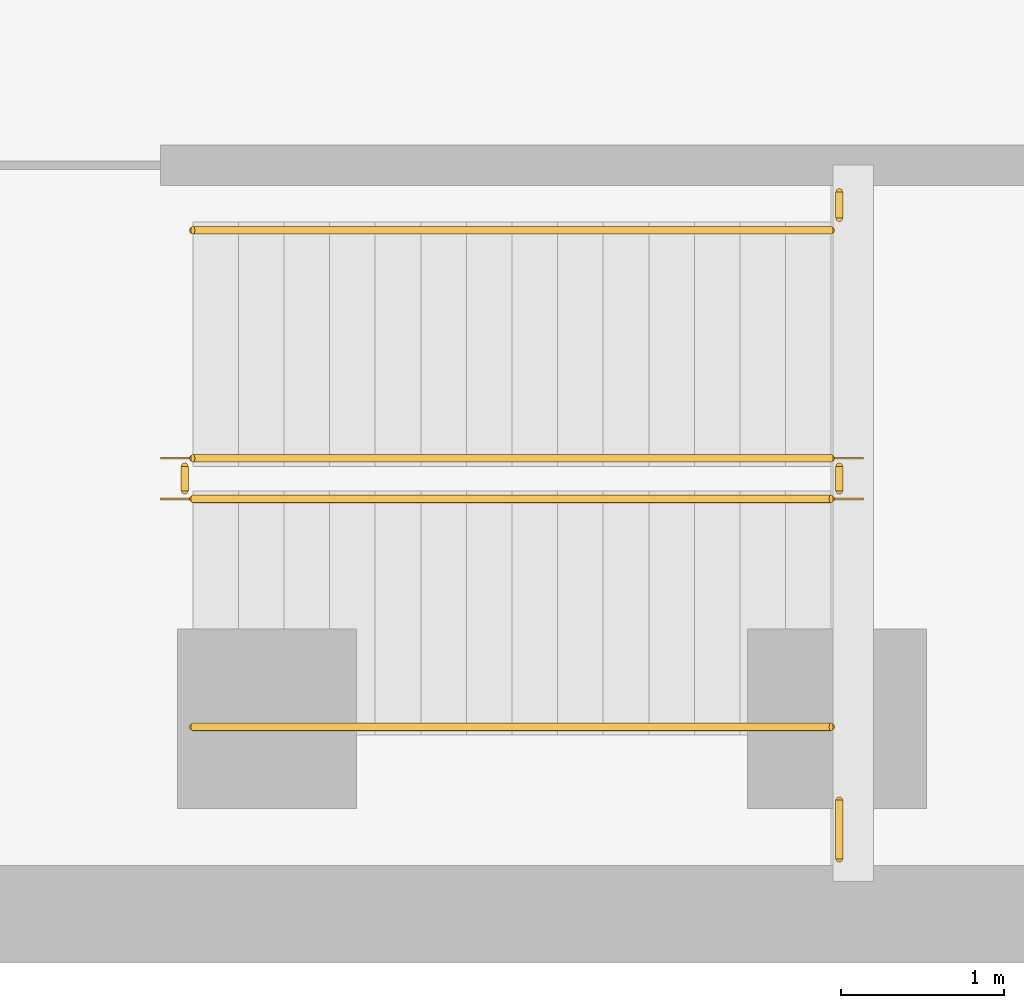
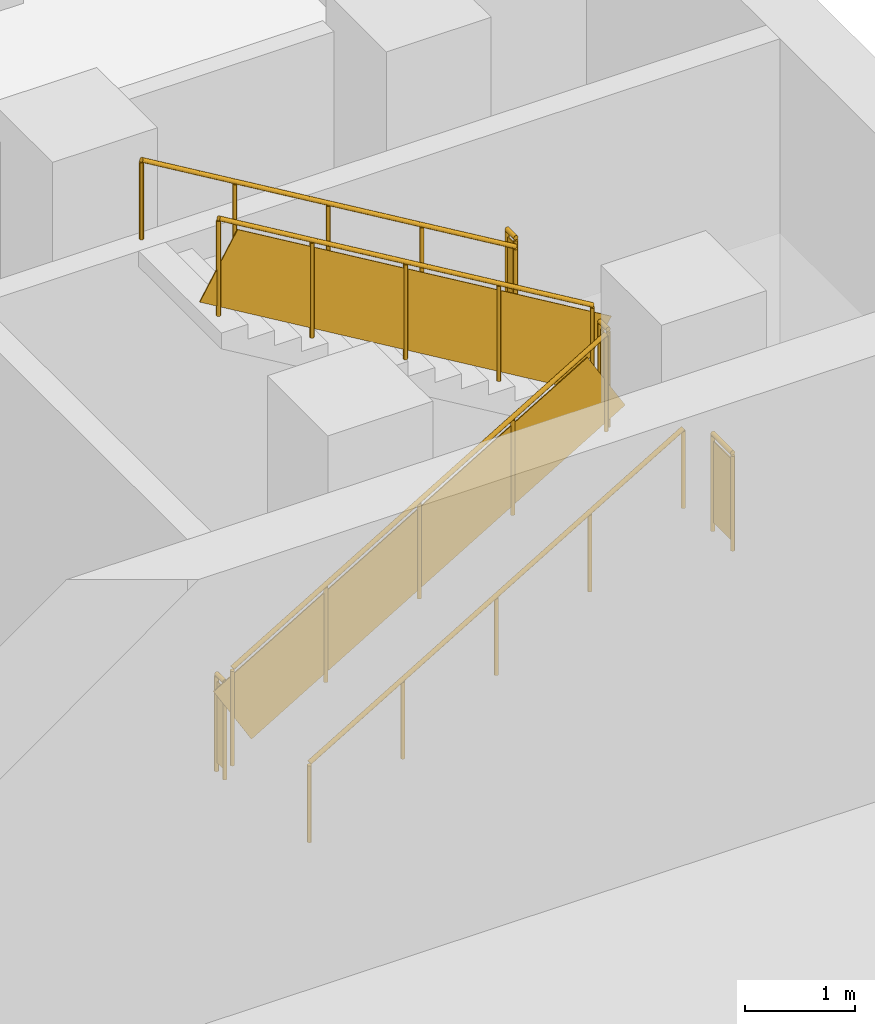
# One storey, part 12 of 14: 8 railings.
"""IFC4 building model written with IfcOpenShell, lengths in metres."""

from ifc_helpers import new_model, si_unit, direction, frame, origin, origin_2d, place, context, subcontext, project, spatial, rectangle, circle, extrude, material, type_object, element, save


model = new_model("IFC4")

# Units and contexts
model_context = context("Model", 3, precision=1e-05, world=origin(), true_north=direction((0.0, 1.0)))
body_context = subcontext(model_context, "Body", "Model", "MODEL_VIEW")
ifc_project = project(units=[si_unit("LENGTHUNIT", "METRE"), si_unit("AREAUNIT", "SQUARE_METRE"), si_unit("VOLUMEUNIT", "CUBIC_METRE"), si_unit("PLANEANGLEUNIT", "RADIAN"), si_unit("MASSUNIT", "GRAM", prefix="KILO")], contexts=[model_context])

# Site, building, storey
site_placement = place(None, origin())
site = spatial("IfcSite", under=ifc_project, at=site_placement, CompositionType="ELEMENT")
building_placement = place(site_placement, origin())
building = spatial("IfcBuilding", under=site, at=building_placement, Name="Vidyagriha Tower", CompositionType="ELEMENT")
storey_placement = place(building_placement, frame((0.0, 0.0, -10.0)))
storey = spatial("IfcBuildingStorey", under=building, at=storey_placement, Name="B2", CompositionType="ELEMENT", Elevation=-10.0)

# Railings
ifc_material_1 = material(Name="Powder coated ASTM A500 Grade C steel balustrade", Category="steel")
railing_type_1 = type_object("IfcRailingType", Name="Podium Stair Guard 1100", PredefinedType="GUARDRAIL", material=ifc_material_1)
railing_1_placement = place(storey_placement, frame((33.544921875, -48.14990234375, 0.166748046875)))
element("IfcRailing", 1, at=railing_1_placement, inside=storey, type_object=railing_type_1, Name="B2 PS2 stair guard 1", PredefinedType="GUARDRAIL", context=body_context, shape_type="SweptSolid", body=[
    extrude(circle(Radius=0.02392578125, at=origin_2d()), frame((0.0, 0.0, 1.076171875), z_axis=(0.859310244771, 0.0, 0.511454693235), x_axis=(0.0, 1.0, 0.0)), (0.0, 0.0, 1.0), 4.56201171875),
    extrude(circle(Radius=0.02099609375, at=origin_2d()), origin(), (0.0, 0.0, 1.0), 1.052001953125),
    extrude(circle(Radius=0.02099609375, at=origin_2d()), frame((0.97998046875, 0.0, 0.583251953125)), (0.0, 0.0, 1.0), 1.052001953125),
    extrude(circle(Radius=0.02099609375, at=origin_2d()), frame((1.9599609375, 0.0, 1.16650390625)), (0.0, 0.0, 1.0), 1.052001953125),
    extrude(circle(Radius=0.02099609375, at=origin_2d()), frame((2.940185546875, 0.0, 1.75)), (0.0, 0.0, 1.0), 1.052001953125),
    extrude(circle(Radius=0.02099609375, at=origin_2d()), frame((3.920166015625, 0.0, 2.333251953125)), (0.0, 0.0, 1.0), 1.052001953125),
    extrude(rectangle(XDim=0.010009765625, YDim=0.775146484375, at=origin_2d()), frame((0.0, 0.0, 0.551025390625), z_axis=(0.859310244771, 0.0, 0.511454693235), x_axis=(0.0, 1.0, 0.0)), (0.0, 0.0, 1.0), 4.56201171875),
])
railing_2_placement = place(storey_placement, frame((37.514892578125, -48.10009765625, 2.5)))
element("IfcRailing", 2, at=railing_2_placement, inside=storey, type_object=railing_type_1, Name="B2 PS2 stair guard 2", PredefinedType="GUARDRAIL", context=body_context, shape_type="SweptSolid", body=[
    extrude(circle(Radius=0.02392578125, at=origin_2d()), frame((0.0, 0.0, 1.076171875), z_axis=(0.0, 1.0, 0.0), x_axis=(-1.0, 0.0, 0.0)), (0.0, 0.0, 1.0), 0.150146484375),
    extrude(circle(Radius=0.02099609375, at=origin_2d()), origin(), (0.0, 0.0, 1.0), 1.052001953125),
    extrude(circle(Radius=0.02099609375, at=origin_2d()), frame((0.0, 0.150146484375, 0.0)), (0.0, 0.0, 1.0), 1.052001953125),
    extrude(rectangle(XDim=0.010009765625, YDim=0.902099609375, at=origin_2d()), frame((0.0, 0.0, 0.551025390625), z_axis=(0.0, 1.0, 0.0), x_axis=(-1.0, 0.0, 0.0)), (0.0, 0.0, 1.0), 0.150146484375),
])
railing_3_placement = place(storey_placement, frame((37.465087890625, -47.89990234375, 2.666748046875)))
element("IfcRailing", 3, at=railing_3_placement, inside=storey, type_object=railing_type_1, Name="B2 PS2 stair guard 3", PredefinedType="GUARDRAIL", context=body_context, shape_type="SweptSolid", body=[
    extrude(circle(Radius=0.02392578125, at=origin_2d()), frame((0.0, 0.0, 1.076171875), z_axis=(-0.859310244771, 0.0, 0.511454693235), x_axis=(0.0, -1.0, 0.0)), (0.0, 0.0, 1.0), 4.56201171875),
    extrude(circle(Radius=0.02099609375, at=origin_2d()), origin(), (0.0, 0.0, 1.0), 1.052001953125),
    extrude(circle(Radius=0.02099609375, at=origin_2d()), frame((-0.97998046875, 0.0, 0.583251953125)), (0.0, 0.0, 1.0), 1.052001953125),
    extrude(circle(Radius=0.02099609375, at=origin_2d()), frame((-1.9599609375, 0.0, 1.16650390625)), (0.0, 0.0, 1.0), 1.052001953125),
    extrude(circle(Radius=0.02099609375, at=origin_2d()), frame((-2.940185546875, 0.0, 1.75)), (0.0, 0.0, 1.0), 1.052001953125),
    extrude(circle(Radius=0.02099609375, at=origin_2d()), frame((-3.920166015625, 0.0, 2.333251953125)), (0.0, 0.0, 1.0), 1.052001953125),
    extrude(rectangle(XDim=0.010009765625, YDim=0.775146484375, at=origin_2d()), frame((0.0, 0.0, 0.551025390625), z_axis=(-0.859310244771, 0.0, 0.511454693235), x_axis=(0.0, -1.0, 0.0)), (0.0, 0.0, 1.0), 4.56201171875),
])
railing_4_placement = place(storey_placement, frame((33.4951171875, -48.10009765625, 0.0)))
element("IfcRailing", 4, at=railing_4_placement, inside=storey, type_object=railing_type_1, Name="B2 PS2 stair guard 4", PredefinedType="GUARDRAIL", context=body_context, shape_type="SweptSolid", body=[
    extrude(circle(Radius=0.02392578125, at=origin_2d()), frame((0.0, 0.0, 1.076171875), z_axis=(0.0, 1.0, 0.0), x_axis=(-1.0, 0.0, 0.0)), (0.0, 0.0, 1.0), 0.150146484375),
    extrude(circle(Radius=0.02099609375, at=origin_2d()), origin(), (0.0, 0.0, 1.0), 1.052001953125),
    extrude(circle(Radius=0.02099609375, at=origin_2d()), frame((0.0, 0.150146484375, 0.0)), (0.0, 0.0, 1.0), 1.052001953125),
    extrude(rectangle(XDim=0.010009765625, YDim=0.902099609375, at=origin_2d()), frame((0.0, 0.0, 0.551025390625), z_axis=(0.0, 1.0, 0.0), x_axis=(-1.0, 0.0, 0.0)), (0.0, 0.0, 1.0), 0.150146484375),
])
railing_5_placement = place(storey_placement, frame((37.514892578125, -50.360107421875, 2.5)))
element("IfcRailing", 5, at=railing_5_placement, inside=storey, type_object=railing_type_1, Name="B2 PS2 landing edge guard 1S", PredefinedType="GUARDRAIL", context=body_context, shape_type="SweptSolid", body=[
    extrude(circle(Radius=0.02392578125, at=origin_2d()), frame((0.0, 0.0, 1.076171875), z_axis=(0.0, 1.0, 0.0), x_axis=(-1.0, 0.0, 0.0)), (0.0, 0.0, 1.0), 0.360107421875),
    extrude(circle(Radius=0.02099609375, at=origin_2d()), origin(), (0.0, 0.0, 1.0), 1.052001953125),
    extrude(circle(Radius=0.02099609375, at=origin_2d()), frame((0.0, 0.360107421875, 0.0)), (0.0, 0.0, 1.0), 1.052001953125),
    extrude(rectangle(XDim=0.010009765625, YDim=0.902099609375, at=origin_2d()), frame((0.0, 0.0, 0.551025390625), z_axis=(0.0, 1.0, 0.0), x_axis=(-1.0, 0.0, 0.0)), (0.0, 0.0, 1.0), 0.360107421875),
])
railing_6_placement = place(storey_placement, frame((37.514892578125, -46.264892578125, 2.5)))
element("IfcRailing", 6, at=railing_6_placement, inside=storey, type_object=railing_type_1, Name="B2 PS2 landing edge guard 1N", PredefinedType="GUARDRAIL", context=body_context, shape_type="SweptSolid", body=[
    extrude(circle(Radius=0.02392578125, at=origin_2d()), frame((0.0, 0.0, 1.076171875), z_axis=(0.0, -1.0, 0.0), x_axis=(1.0, 0.0, 0.0)), (0.0, 0.0, 1.0), 0.16015625),
    extrude(circle(Radius=0.02099609375, at=origin_2d()), origin(), (0.0, 0.0, 1.0), 1.052001953125),
    extrude(circle(Radius=0.02099609375, at=origin_2d()), frame((0.0, -0.16015625, 0.0)), (0.0, 0.0, 1.0), 1.052001953125),
    extrude(rectangle(XDim=0.010009765625, YDim=0.902099609375, at=origin_2d()), frame((0.0, 0.0, 0.551025390625), z_axis=(0.0, -1.0, 0.0), x_axis=(1.0, 0.0, 0.0)), (0.0, 0.0, 1.0), 0.16015625),
])
ifc_material_2 = material(Name="Powder coated ASTM A500 Grade C steel handrail", Category="steel")
railing_type_2 = type_object("IfcRailingType", Name="Podium Stair Handrail 900", PredefinedType="HANDRAIL", material=ifc_material_2)
railing_7_placement = place(storey_placement, frame((33.544921875, -49.550048828125, 0.166748046875)))
element("IfcRailing", 7, at=railing_7_placement, inside=storey, type_object=railing_type_2, Name="B2 PS2 stair handrail 1", PredefinedType="HANDRAIL", context=body_context, shape_type="SweptSolid", body=[
    extrude(circle(Radius=0.02392578125, at=origin_2d()), frame((0.0, 0.0, 0.8759765625), z_axis=(0.859310244771, 0.0, 0.511454693235), x_axis=(0.0, 1.0, 0.0)), (0.0, 0.0, 1.0), 4.56201171875),
    extrude(circle(Radius=0.02099609375, at=origin_2d()), origin(), (0.0, 0.0, 1.0), 0.851806640625),
    extrude(circle(Radius=0.02099609375, at=origin_2d()), frame((0.97998046875, 0.0, 0.583251953125)), (0.0, 0.0, 1.0), 0.851806640625),
    extrude(circle(Radius=0.02099609375, at=origin_2d()), frame((1.9599609375, 0.0, 1.16650390625)), (0.0, 0.0, 1.0), 0.851806640625),
    extrude(circle(Radius=0.02099609375, at=origin_2d()), frame((2.940185546875, 0.0, 1.75)), (0.0, 0.0, 1.0), 0.851806640625),
    extrude(circle(Radius=0.02099609375, at=origin_2d()), frame((3.920166015625, 0.0, 2.333251953125)), (0.0, 0.0, 1.0), 0.851806640625),
])
railing_8_placement = place(storey_placement, frame((37.465087890625, -46.5, 2.666748046875)))
element("IfcRailing", 8, at=railing_8_placement, inside=storey, type_object=railing_type_2, Name="B2 PS2 stair handrail 2", PredefinedType="HANDRAIL", context=body_context, shape_type="SweptSolid", body=[
    extrude(circle(Radius=0.02392578125, at=origin_2d()), frame((0.0, 0.0, 0.8759765625), z_axis=(-0.859310244771, 0.0, 0.511454693235), x_axis=(0.0, -1.0, 0.0)), (0.0, 0.0, 1.0), 4.56201171875),
    extrude(circle(Radius=0.02099609375, at=origin_2d()), origin(), (0.0, 0.0, 1.0), 0.851806640625),
    extrude(circle(Radius=0.02099609375, at=origin_2d()), frame((-0.97998046875, 0.0, 0.583251953125)), (0.0, 0.0, 1.0), 0.851806640625),
    extrude(circle(Radius=0.02099609375, at=origin_2d()), frame((-1.9599609375, 0.0, 1.16650390625)), (0.0, 0.0, 1.0), 0.851806640625),
    extrude(circle(Radius=0.02099609375, at=origin_2d()), frame((-2.940185546875, 0.0, 1.75)), (0.0, 0.0, 1.0), 0.851806640625),
    extrude(circle(Radius=0.02099609375, at=origin_2d()), frame((-3.920166015625, 0.0, 2.333251953125)), (0.0, 0.0, 1.0), 0.851806640625),
])

save(model, "model.ifc")
